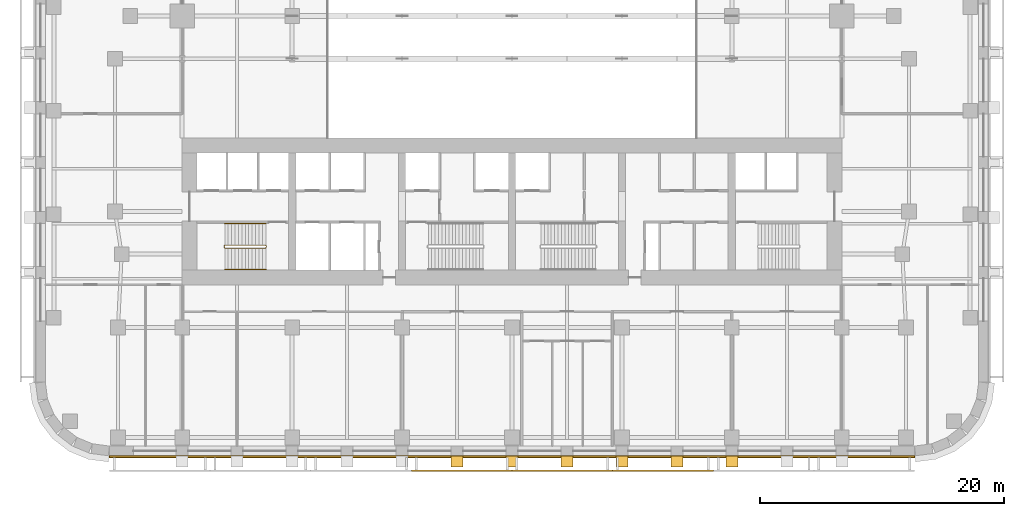
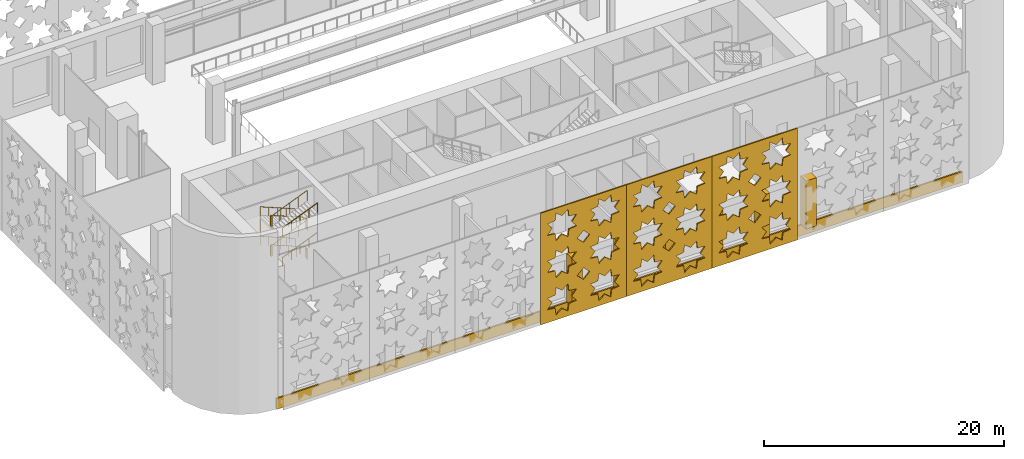
# One storey, part 13 of 17: 10 coverings, 3 railings.
"""IFC4 building model written with IfcOpenShell, lengths in metres."""

from ifc_helpers import new_model, si_unit, direction, frame, origin, origin_2d, place, context, subcontext, project, spatial, polyline, circle, outline, extrude, material, layer, layer_set, type_object, element, save


model = new_model("IFC4")

# Units and contexts
model_context = context("Model", 3, precision=1e-05, world=origin(), true_north=direction((0.0, 1.0)))
body_context = subcontext(model_context, "Body", "Model", "MODEL_VIEW")
ifc_project = project(units=[si_unit("LENGTHUNIT", "METRE"), si_unit("AREAUNIT", "SQUARE_METRE"), si_unit("VOLUMEUNIT", "CUBIC_METRE"), si_unit("PLANEANGLEUNIT", "RADIAN"), si_unit("MASSUNIT", "GRAM", prefix="KILO")], contexts=[model_context])

# Site, building, storey
site_placement = place(None, origin())
site = spatial("IfcSite", under=ifc_project, at=site_placement, CompositionType="ELEMENT")
building_placement = place(site_placement, origin())
building = spatial("IfcBuilding", under=site, at=building_placement, Name="Zellij Exchange Tower", CompositionType="ELEMENT")
storey_placement = place(building_placement, frame((0.0, 0.0, 21.0)))
storey = spatial("IfcBuildingStorey", under=building, at=storey_placement, Name="L03", CompositionType="ELEMENT", Elevation=21.0)

# Railings
ifc_material_1 = material(Name="Stainless steel", Category="steel")
railing_type_1 = type_object("IfcRailingType", Name="CORE-RG stair guard", PredefinedType="GUARDRAIL", material=ifc_material_1)
railing_1_placement = place(storey_placement, frame((-20.10009765625, -10.800048828125, 0.0)))
element("IfcRailing", 1, at=railing_1_placement, inside=storey, type_object=railing_type_1, Name="ST1 stair guard L03", PredefinedType="GUARDRAIL", context=body_context, shape_type="SweptSolid", body=[
    extrude(circle(Radius=0.02392578125, at=origin_2d()), frame((0.0, 0.0, 1.076171875), z_axis=(0.0, -1.0, 0.0), x_axis=(1.0, 0.0, 0.0)), (0.0, 0.0, 1.0), 0.14990234375),
    extrude(circle(Radius=0.02392578125, at=origin_2d()), frame((0.0, -0.14990234375, 1.076171875), z_axis=(-0.210847110147, 0.846489133385, 0.488875897547), x_axis=(-0.970351222016, -0.241699205484, 0.0)), (0.0, 0.0, 1.0), 0.236328125),
    extrude(circle(Radius=0.02392578125, at=origin_2d()), frame((-0.0498046875, 0.050048828125, 1.19140625), z_axis=(-0.924586246868, 0.0, 0.380972797064), x_axis=(0.0, -1.0, 0.0)), (0.0, 0.0, 1.0), 3.63427734375),
    extrude(circle(Radius=0.02392578125, at=origin_2d()), frame((-3.409912109375, 0.050048828125, 2.576171875), z_axis=(-0.707106781187, -0.707106781187, 0.0), x_axis=(0.707106781187, -0.707106781187, 0.0)), (0.0, 0.0, 1.0), 0.07080078125),
    extrude(circle(Radius=0.02392578125, at=origin_2d()), frame((-3.4599609375, 0.0, 2.576171875), z_axis=(0.0, -1.0, 0.0), x_axis=(1.0, 0.0, 0.0)), (0.0, 0.0, 1.0), 0.14990234375),
    extrude(circle(Radius=0.02392578125, at=origin_2d()), frame((-3.4599609375, -0.14990234375, 2.576171875), z_axis=(0.3695169537, -0.3695169537, 0.852592776099), x_axis=(0.707106781187, 0.707106781187, 0.0)), (0.0, 0.0, 1.0), 0.135498046875),
    extrude(circle(Radius=0.02392578125, at=origin_2d()), frame((-3.409912109375, -0.199951171875, 2.69140625), z_axis=(0.924586246868, 0.0, 0.380972797064), x_axis=(0.0, 1.0, 0.0)), (0.0, 0.0, 1.0), 3.63427734375),
    extrude(circle(Radius=0.02392578125, at=origin_2d()), frame((-0.0498046875, -0.199951171875, 4.076171875), z_axis=(0.241699205484, 0.970351222016, 0.0), x_axis=(-0.970351222016, 0.241699205484, 0.0)), (0.0, 0.0, 1.0), 0.2060546875),
    extrude(circle(Radius=0.02392578125, at=origin_2d()), frame((0.0, 0.0, 4.076171875), z_axis=(0.0, -1.0, 0.0), x_axis=(1.0, 0.0, 0.0)), (0.0, 0.0, 1.0), 0.14990234375),
    extrude(circle(Radius=0.02392578125, at=origin_2d()), frame((0.0, -0.14990234375, 4.076171875), z_axis=(-0.210847110147, 0.846489133385, 0.488875897547), x_axis=(-0.970351222016, -0.241699205484, 0.0)), (0.0, 0.0, 1.0), 0.236328125),
    extrude(circle(Radius=0.02392578125, at=origin_2d()), frame((-0.0498046875, 0.050048828125, 4.19140625), z_axis=(-0.924586246868, 0.0, 0.380972797064), x_axis=(0.0, -1.0, 0.0)), (0.0, 0.0, 1.0), 3.63427734375),
    extrude(circle(Radius=0.02392578125, at=origin_2d()), frame((-3.409912109375, 0.050048828125, 5.576171875), z_axis=(-0.707106781187, -0.707106781187, 0.0), x_axis=(0.707106781187, -0.707106781187, 0.0)), (0.0, 0.0, 1.0), 0.07080078125),
    extrude(circle(Radius=0.02392578125, at=origin_2d()), frame((-3.4599609375, 0.0, 5.576171875), z_axis=(0.0, -1.0, 0.0), x_axis=(1.0, 0.0, 0.0)), (0.0, 0.0, 1.0), 0.14990234375),
    extrude(circle(Radius=0.02392578125, at=origin_2d()), frame((-3.4599609375, -0.14990234375, 5.576171875), z_axis=(0.3695169537, -0.3695169537, 0.852592776099), x_axis=(0.707106781187, 0.707106781187, 0.0)), (0.0, 0.0, 1.0), 0.135498046875),
    extrude(circle(Radius=0.02392578125, at=origin_2d()), frame((-3.409912109375, -0.199951171875, 5.69140625), z_axis=(0.924586246868, 0.0, 0.380972797064), x_axis=(0.0, 1.0, 0.0)), (0.0, 0.0, 1.0), 3.63427734375),
    extrude(circle(Radius=0.02099609375, at=origin_2d()), origin(), (0.0, 0.0, 1.0), 1.052001953125),
    extrude(circle(Radius=0.02099609375, at=origin_2d()), frame((0.0, -0.14990234375, 0.0)), (0.0, 0.0, 1.0), 1.052001953125),
    extrude(circle(Radius=0.02099609375, at=origin_2d()), frame((-0.0498046875, 0.050048828125, 0.115478515625)), (0.0, 0.0, 1.0), 1.052001953125),
    extrude(circle(Radius=0.02099609375, at=origin_2d()), frame((-0.889892578125, 0.050048828125, 0.461669921875)), (0.0, 0.0, 1.0), 1.052001953125),
    extrude(circle(Radius=0.02099609375, at=origin_2d()), frame((-1.72998046875, 0.050048828125, 0.8076171875)), (0.0, 0.0, 1.0), 1.052001953125),
    extrude(circle(Radius=0.02099609375, at=origin_2d()), frame((-2.56982421875, 0.050048828125, 1.15380859375)), (0.0, 0.0, 1.0), 1.052001953125),
    extrude(circle(Radius=0.02099609375, at=origin_2d()), frame((-3.409912109375, 0.050048828125, 1.5)), (0.0, 0.0, 1.0), 1.052001953125),
    extrude(circle(Radius=0.02099609375, at=origin_2d()), frame((-3.4599609375, 0.0, 1.5)), (0.0, 0.0, 1.0), 1.052001953125),
    extrude(circle(Radius=0.02099609375, at=origin_2d()), frame((-3.4599609375, -0.14990234375, 1.5)), (0.0, 0.0, 1.0), 1.052001953125),
    extrude(circle(Radius=0.02099609375, at=origin_2d()), frame((-3.409912109375, -0.199951171875, 1.615478515625)), (0.0, 0.0, 1.0), 1.052001953125),
    extrude(circle(Radius=0.02099609375, at=origin_2d()), frame((-2.56982421875, -0.199951171875, 1.961669921875)), (0.0, 0.0, 1.0), 1.052001953125),
    extrude(circle(Radius=0.02099609375, at=origin_2d()), frame((-1.72998046875, -0.199951171875, 2.3076171875)), (0.0, 0.0, 1.0), 1.052001953125),
    extrude(circle(Radius=0.02099609375, at=origin_2d()), frame((-0.889892578125, -0.199951171875, 2.65380859375)), (0.0, 0.0, 1.0), 1.052001953125),
    extrude(circle(Radius=0.02099609375, at=origin_2d()), frame((-0.0498046875, -0.199951171875, 3.0)), (0.0, 0.0, 1.0), 1.052001953125),
    extrude(circle(Radius=0.02099609375, at=origin_2d()), frame((0.0, 0.0, 3.0)), (0.0, 0.0, 1.0), 1.052001953125),
    extrude(circle(Radius=0.02099609375, at=origin_2d()), frame((0.0, -0.14990234375, 3.0)), (0.0, 0.0, 1.0), 1.052001953125),
    extrude(circle(Radius=0.02099609375, at=origin_2d()), frame((-0.0498046875, 0.050048828125, 3.115478515625)), (0.0, 0.0, 1.0), 1.052001953125),
    extrude(circle(Radius=0.02099609375, at=origin_2d()), frame((-0.889892578125, 0.050048828125, 3.461669921875)), (0.0, 0.0, 1.0), 1.052001953125),
    extrude(circle(Radius=0.02099609375, at=origin_2d()), frame((-1.72998046875, 0.050048828125, 3.8076171875)), (0.0, 0.0, 1.0), 1.052001953125),
    extrude(circle(Radius=0.02099609375, at=origin_2d()), frame((-2.56982421875, 0.050048828125, 4.15380859375)), (0.0, 0.0, 1.0), 1.052001953125),
    extrude(circle(Radius=0.02099609375, at=origin_2d()), frame((-3.409912109375, 0.050048828125, 4.5)), (0.0, 0.0, 1.0), 1.052001953125),
    extrude(circle(Radius=0.02099609375, at=origin_2d()), frame((-3.4599609375, 0.0, 4.5)), (0.0, 0.0, 1.0), 1.052001953125),
    extrude(circle(Radius=0.02099609375, at=origin_2d()), frame((-3.4599609375, -0.14990234375, 4.5)), (0.0, 0.0, 1.0), 1.052001953125),
    extrude(circle(Radius=0.02099609375, at=origin_2d()), frame((-3.409912109375, -0.199951171875, 4.615478515625)), (0.0, 0.0, 1.0), 1.052001953125),
    extrude(circle(Radius=0.02099609375, at=origin_2d()), frame((-2.56982421875, -0.199951171875, 4.961669921875)), (0.0, 0.0, 1.0), 1.052001953125),
    extrude(circle(Radius=0.02099609375, at=origin_2d()), frame((-1.72998046875, -0.199951171875, 5.3076171875)), (0.0, 0.0, 1.0), 1.052001953125),
    extrude(circle(Radius=0.02099609375, at=origin_2d()), frame((-0.889892578125, -0.199951171875, 5.65380859375)), (0.0, 0.0, 1.0), 1.052001953125),
    extrude(circle(Radius=0.02099609375, at=origin_2d()), frame((-0.0498046875, -0.199951171875, 6.0)), (0.0, 0.0, 1.0), 1.052001953125),
])
railing_type_2 = type_object("IfcRailingType", Name="CORE-RH stair handrail", PredefinedType="HANDRAIL", material=ifc_material_1)
railing_2_placement = place(storey_placement, frame((-20.14990234375, -9.0, 0.115478515625)))
element("IfcRailing", 2, at=railing_2_placement, inside=storey, type_object=railing_type_2, Name="ST1 stair handrail L03", PredefinedType="HANDRAIL", context=body_context, shape_type="SweptSolid", body=[
    extrude(circle(Radius=0.02392578125, at=origin_2d()), frame((0.0, 0.0, 0.8759765625), z_axis=(-0.924586246868, 0.0, 0.380972797064), x_axis=(0.0, -1.0, 0.0)), (0.0, 0.0, 1.0), 3.63427734375),
    extrude(circle(Radius=0.02392578125, at=origin_2d()), frame((-3.360107421875, 0.0, 2.26025390625), z_axis=(0.0, 0.0, 1.0), x_axis=(1.0, 0.0, 0.0)), (0.0, 0.0, 1.0), 3.0),
    extrude(circle(Radius=0.02392578125, at=origin_2d()), frame((-3.360107421875, 0.0, 5.26025390625), z_axis=(0.924586246868, 0.0, -0.380972797064), x_axis=(0.0, 1.0, 0.0)), (0.0, 0.0, 1.0), 3.63427734375),
    extrude(circle(Radius=0.02099609375, at=origin_2d()), origin(), (0.0, 0.0, 1.0), 0.851806640625),
    extrude(circle(Radius=0.02099609375, at=origin_2d()), frame((-0.840087890625, 0.0, 0.34619140625)), (0.0, 0.0, 1.0), 0.851806640625),
    extrude(circle(Radius=0.02099609375, at=origin_2d()), frame((-1.68017578125, 0.0, 0.6923828125)), (0.0, 0.0, 1.0), 0.851806640625),
    extrude(circle(Radius=0.02099609375, at=origin_2d()), frame((-2.52001953125, 0.0, 1.038330078125)), (0.0, 0.0, 1.0), 0.851806640625),
    extrude(circle(Radius=0.02099609375, at=origin_2d()), frame((-3.360107421875, 0.0, 1.384521484375)), (0.0, 0.0, 1.0), 0.851806640625),
    extrude(circle(Radius=0.02099609375, at=origin_2d()), frame((-3.360107421875, 0.0, 2.384521484375)), (0.0, 0.0, 1.0), 0.851806640625),
    extrude(circle(Radius=0.02099609375, at=origin_2d()), frame((-3.360107421875, 0.0, 3.384521484375)), (0.0, 0.0, 1.0), 0.851806640625),
    extrude(circle(Radius=0.02099609375, at=origin_2d()), frame((-3.360107421875, 0.0, 4.384521484375)), (0.0, 0.0, 1.0), 0.851806640625),
    extrude(circle(Radius=0.02099609375, at=origin_2d()), frame((-2.52001953125, 0.0, 4.038330078125)), (0.0, 0.0, 1.0), 0.851806640625),
    extrude(circle(Radius=0.02099609375, at=origin_2d()), frame((-1.68017578125, 0.0, 3.6923828125)), (0.0, 0.0, 1.0), 0.851806640625),
    extrude(circle(Radius=0.02099609375, at=origin_2d()), frame((-0.840087890625, 0.0, 3.34619140625)), (0.0, 0.0, 1.0), 0.851806640625),
    extrude(circle(Radius=0.02099609375, at=origin_2d()), frame((0.0, 0.0, 3.0)), (0.0, 0.0, 1.0), 0.851806640625),
])
railing_3_placement = place(storey_placement, frame((-23.510009765625, -12.75, 1.615478515625)))
element("IfcRailing", 3, at=railing_3_placement, inside=storey, type_object=railing_type_2, Name="ST1 stair handrail L03", PredefinedType="HANDRAIL", context=body_context, shape_type="SweptSolid", body=[
    extrude(circle(Radius=0.02392578125, at=origin_2d()), frame((0.0, 0.0, 0.8759765625), z_axis=(0.924586246868, 0.0, 0.380972797064), x_axis=(0.0, 1.0, 0.0)), (0.0, 0.0, 1.0), 3.63427734375),
    extrude(circle(Radius=0.02392578125, at=origin_2d()), frame((3.360107421875, 0.0, 2.26025390625), z_axis=(0.0, 0.0, 1.0), x_axis=(1.0, 0.0, 0.0)), (0.0, 0.0, 1.0), 3.0),
    extrude(circle(Radius=0.02392578125, at=origin_2d()), frame((3.360107421875, 0.0, 5.26025390625), z_axis=(-0.924586246868, 0.0, -0.380972797064), x_axis=(0.0, -1.0, 0.0)), (0.0, 0.0, 1.0), 3.63427734375),
    extrude(circle(Radius=0.02099609375, at=origin_2d()), origin(), (0.0, 0.0, 1.0), 0.851806640625),
    extrude(circle(Radius=0.02099609375, at=origin_2d()), frame((0.840087890625, 0.0, 0.34619140625)), (0.0, 0.0, 1.0), 0.851806640625),
    extrude(circle(Radius=0.02099609375, at=origin_2d()), frame((1.68017578125, 0.0, 0.6923828125)), (0.0, 0.0, 1.0), 0.851806640625),
    extrude(circle(Radius=0.02099609375, at=origin_2d()), frame((2.52001953125, 0.0, 1.038330078125)), (0.0, 0.0, 1.0), 0.851806640625),
    extrude(circle(Radius=0.02099609375, at=origin_2d()), frame((3.360107421875, 0.0, 1.384521484375)), (0.0, 0.0, 1.0), 0.851806640625),
    extrude(circle(Radius=0.02099609375, at=origin_2d()), frame((3.360107421875, 0.0, 2.384521484375)), (0.0, 0.0, 1.0), 0.851806640625),
    extrude(circle(Radius=0.02099609375, at=origin_2d()), frame((3.360107421875, 0.0, 3.384521484375)), (0.0, 0.0, 1.0), 0.851806640625),
    extrude(circle(Radius=0.02099609375, at=origin_2d()), frame((3.360107421875, 0.0, 4.384521484375)), (0.0, 0.0, 1.0), 0.851806640625),
    extrude(circle(Radius=0.02099609375, at=origin_2d()), frame((2.52001953125, 0.0, 4.038330078125)), (0.0, 0.0, 1.0), 0.851806640625),
    extrude(circle(Radius=0.02099609375, at=origin_2d()), frame((1.68017578125, 0.0, 3.6923828125)), (0.0, 0.0, 1.0), 0.851806640625),
    extrude(circle(Radius=0.02099609375, at=origin_2d()), frame((0.840087890625, 0.0, 3.34619140625)), (0.0, 0.0, 1.0), 0.851806640625),
    extrude(circle(Radius=0.02099609375, at=origin_2d()), frame((0.0, 0.0, 3.0)), (0.0, 0.0, 1.0), 0.851806640625),
])

# Coverings
ifc_material_2 = material(Name="Limestone cladding", Category="masonry")
ifc_layer_1 = layer(ifc_material_2, 0.14990234375)
ifc_layer_set_1 = layer_set([ifc_layer_1], Name="Limestone cladding")
covering_type_1 = type_object("IfcCoveringType", Name="ENV-CV1 Stone spandrel band 150", PredefinedType="CLADDING", material=ifc_layer_set_1)
covering_1_placement = place(storey_placement, frame((0.0, 0.0, -0.300048828125)))
element("IfcCovering", 4, at=covering_1_placement, inside=storey, type_object=covering_type_1, Name="Stone spandrel band", PredefinedType="CLADDING", context=body_context, shape_type="SweptSolid", body=[
    extrude(outline(polyline([(-32.973876953125, -28.0), (32.973876953125, -28.0), (32.983642578125, -28.14990234375), (-32.983642578125, -28.14990234375), (-32.973876953125, -28.0)])), origin(), (0.0, 0.0, 1.0), 1.10009765625),
])
covering_type_2 = type_object("IfcCoveringType", Name="ENV-CV2 Stone pier 1000x900", PredefinedType="CLADDING", material=ifc_material_2)
covering_2_placement = place(storey_placement, frame((0.0, 0.0, 0.800048828125)))
element("IfcCovering", 5, at=covering_2_placement, inside=storey, type_object=covering_type_2, Name="Stone pier", PredefinedType="CLADDING", context=body_context, shape_type="SweptSolid", body=[
    extrude(outline(polyline([(-5.0, -28.0), (-4.0, -28.0), (-4.0, -28.89990234375), (-5.0, -28.89990234375), (-5.0, -28.0)])), origin(), (0.0, 0.0, 1.0), 4.89990234375),
])
covering_3_placement = place(storey_placement, frame((0.0, 0.0, 0.800048828125)))
element("IfcCovering", 6, at=covering_3_placement, inside=storey, type_object=covering_type_2, Name="Stone pier", PredefinedType="CLADDING", context=body_context, shape_type="SweptSolid", body=[
    extrude(outline(polyline([(-0.5, -28.0), (0.5, -28.0), (0.5, -28.89990234375), (-0.5, -28.89990234375), (-0.5, -28.0)])), origin(), (0.0, 0.0, 1.0), 4.89990234375),
])
covering_4_placement = place(storey_placement, frame((0.0, 0.0, 0.800048828125)))
element("IfcCovering", 7, at=covering_4_placement, inside=storey, type_object=covering_type_2, Name="Stone pier", PredefinedType="CLADDING", context=body_context, shape_type="SweptSolid", body=[
    extrude(outline(polyline([(4.0, -28.0), (5.0, -28.0), (5.0, -28.89990234375), (4.0, -28.89990234375), (4.0, -28.0)])), origin(), (0.0, 0.0, 1.0), 4.89990234375),
])
covering_5_placement = place(storey_placement, frame((0.0, 0.0, 0.800048828125)))
element("IfcCovering", 8, at=covering_5_placement, inside=storey, type_object=covering_type_2, Name="Stone pier", PredefinedType="CLADDING", context=body_context, shape_type="SweptSolid", body=[
    extrude(outline(polyline([(8.5, -28.0), (9.5, -28.0), (9.5, -28.89990234375), (8.5, -28.89990234375), (8.5, -28.0)])), origin(), (0.0, 0.0, 1.0), 4.89990234375),
])
covering_6_placement = place(storey_placement, frame((0.0, 0.0, 0.800048828125)))
element("IfcCovering", 9, at=covering_6_placement, inside=storey, type_object=covering_type_2, Name="Stone pier", PredefinedType="CLADDING", context=body_context, shape_type="SweptSolid", body=[
    extrude(outline(polyline([(13.0, -28.0), (14.0, -28.0), (14.0, -28.89990234375), (13.0, -28.89990234375), (13.0, -28.0)])), origin(), (0.0, 0.0, 1.0), 4.89990234375),
])
covering_7_placement = place(storey_placement, frame((0.0, 0.0, 0.800048828125)))
element("IfcCovering", 10, at=covering_7_placement, inside=storey, type_object=covering_type_2, Name="Stone pier", PredefinedType="CLADDING", context=body_context, shape_type="SweptSolid", body=[
    extrude(outline(polyline([(17.5, -28.0), (18.5, -28.0), (18.5, -28.89990234375), (17.5, -28.89990234375), (17.5, -28.0)])), origin(), (0.0, 0.0, 1.0), 4.89990234375),
])
ifc_material_3 = material(Name="Limestone screen", Category="masonry")
ifc_layer_2 = layer(ifc_material_3, 0.1201171875)
ifc_layer_set_2 = layer_set([ifc_layer_2], Name="Limestone screen")
covering_type_3 = type_object("IfcCoveringType", Name="ENV-SC1 Pierced stone screen 120", PredefinedType="USERDEFINED", material=ifc_layer_set_2)
covering_8_placement = place(storey_placement, frame((-8.23681640625, -29.2099609375, 0.300048828125), z_axis=(0.0, 0.0, 1.0), x_axis=(1.0, 0.0, 0.0)))
element("IfcCovering", 11, at=covering_8_placement, inside=storey, type_object=covering_type_3, Name="Pierced stone screen", ObjectType="SCREEN", PredefinedType="USERDEFINED", context=body_context, shape_type="SweptSolid", body=[
    extrude(outline(polyline([(0.0, 0.0), (8.23681640625, 0.0), (8.23681640625, 11.35009765625), (0.0, 11.35009765625), (0.0, 0.0)]), holes=[polyline([(3.45751953125, 2.470703125), (2.72265625, 2.55517578125), (2.638427734375, 3.289794921875), (2.05908203125, 2.829833984375), (1.47998046875, 3.289794921875), (1.395751953125, 2.55517578125), (0.6611328125, 2.470703125), (1.12109375, 1.8916015625), (0.6611328125, 1.3125), (1.395751953125, 1.228271484375), (1.47998046875, 0.493408203125), (2.05908203125, 0.953369140625), (2.638427734375, 0.493408203125), (2.72265625, 1.228271484375), (3.45751953125, 1.3125), (2.99755859375, 1.8916015625), (3.45751953125, 2.470703125)]), polyline([(3.45751953125, 6.254150390625), (2.72265625, 6.33837890625), (2.638427734375, 7.072998046875), (2.05908203125, 6.61328125), (1.47998046875, 7.072998046875), (1.395751953125, 6.33837890625), (0.6611328125, 6.254150390625), (1.12109375, 5.675048828125), (0.6611328125, 5.095947265625), (1.395751953125, 5.011474609375), (1.47998046875, 4.27685546875), (2.05908203125, 4.73681640625), (2.638427734375, 4.27685546875), (2.72265625, 5.011474609375), (3.45751953125, 5.095947265625), (2.99755859375, 5.675048828125), (3.45751953125, 6.254150390625)]), polyline([(3.45751953125, 10.03759765625), (2.72265625, 10.121826171875), (2.638427734375, 10.8564453125), (2.05908203125, 10.396484375), (1.47998046875, 10.8564453125), (1.395751953125, 10.121826171875), (0.6611328125, 10.03759765625), (1.12109375, 9.458251953125), (0.6611328125, 8.879150390625), (1.395751953125, 8.794921875), (1.47998046875, 8.060302734375), (2.05908203125, 8.52001953125), (2.638427734375, 8.060302734375), (2.72265625, 8.794921875), (3.45751953125, 8.879150390625), (2.99755859375, 9.458251953125), (3.45751953125, 10.03759765625)]), polyline([(7.57568359375, 2.470703125), (6.841064453125, 2.55517578125), (6.7568359375, 3.289794921875), (6.177734375, 2.829833984375), (5.598388671875, 3.289794921875), (5.51416015625, 2.55517578125), (4.779541015625, 2.470703125), (5.239501953125, 1.8916015625), (4.779541015625, 1.3125), (5.51416015625, 1.228271484375), (5.598388671875, 0.493408203125), (6.177734375, 0.953369140625), (6.7568359375, 0.493408203125), (6.841064453125, 1.228271484375), (7.57568359375, 1.3125), (7.115966796875, 1.8916015625), (7.57568359375, 2.470703125)]), polyline([(7.57568359375, 6.254150390625), (6.841064453125, 6.33837890625), (6.7568359375, 7.072998046875), (6.177734375, 6.61328125), (5.598388671875, 7.072998046875), (5.51416015625, 6.33837890625), (4.779541015625, 6.254150390625), (5.239501953125, 5.675048828125), (4.779541015625, 5.095947265625), (5.51416015625, 5.011474609375), (5.598388671875, 4.27685546875), (6.177734375, 4.73681640625), (6.7568359375, 4.27685546875), (6.841064453125, 5.011474609375), (7.57568359375, 5.095947265625), (7.115966796875, 5.675048828125), (7.57568359375, 6.254150390625)]), polyline([(7.57568359375, 10.03759765625), (6.841064453125, 10.121826171875), (6.7568359375, 10.8564453125), (6.177734375, 10.396484375), (5.598388671875, 10.8564453125), (5.51416015625, 10.121826171875), (4.779541015625, 10.03759765625), (5.239501953125, 9.458251953125), (4.779541015625, 8.879150390625), (5.51416015625, 8.794921875), (5.598388671875, 8.060302734375), (6.177734375, 8.52001953125), (6.7568359375, 8.060302734375), (6.841064453125, 8.794921875), (7.57568359375, 8.879150390625), (7.115966796875, 9.458251953125), (7.57568359375, 10.03759765625)]), polyline([(4.723876953125, 3.783203125), (4.118408203125, 4.388671875), (3.51318359375, 3.783203125), (4.118408203125, 3.177978515625), (4.723876953125, 3.783203125)]), polyline([(4.723876953125, 7.566650390625), (4.118408203125, 8.172119140625), (3.51318359375, 7.566650390625), (4.118408203125, 6.961181640625), (4.723876953125, 7.566650390625)])]), frame((0.0, 0.06005859375, 0.0), z_axis=(0.0, -1.0, 0.0), x_axis=(1.0, 0.0, 0.0)), (0.0, 0.0, 1.0), 0.1201171875),
])
covering_9_placement = place(storey_placement, frame((0.0, -29.2099609375, 0.300048828125), z_axis=(0.0, 0.0, 1.0), x_axis=(1.0, 0.0, 0.0)))
element("IfcCovering", 12, at=covering_9_placement, inside=storey, type_object=covering_type_3, Name="Pierced stone screen", ObjectType="SCREEN", PredefinedType="USERDEFINED", context=body_context, shape_type="SweptSolid", body=[
    extrude(outline(polyline([(0.0, 0.0), (8.23681640625, 0.0), (8.23681640625, 11.35009765625), (0.0, 11.35009765625), (0.0, 0.0)]), holes=[polyline([(3.45751953125, 2.470703125), (2.72265625, 2.55517578125), (2.638427734375, 3.289794921875), (2.05908203125, 2.829833984375), (1.47998046875, 3.289794921875), (1.395751953125, 2.55517578125), (0.6611328125, 2.470703125), (1.12109375, 1.8916015625), (0.6611328125, 1.3125), (1.395751953125, 1.228271484375), (1.47998046875, 0.493408203125), (2.05908203125, 0.953369140625), (2.638427734375, 0.493408203125), (2.72265625, 1.228271484375), (3.45751953125, 1.3125), (2.99755859375, 1.8916015625), (3.45751953125, 2.470703125)]), polyline([(3.45751953125, 6.254150390625), (2.72265625, 6.33837890625), (2.638427734375, 7.072998046875), (2.05908203125, 6.61328125), (1.47998046875, 7.072998046875), (1.395751953125, 6.33837890625), (0.6611328125, 6.254150390625), (1.12109375, 5.675048828125), (0.6611328125, 5.095947265625), (1.395751953125, 5.011474609375), (1.47998046875, 4.27685546875), (2.05908203125, 4.73681640625), (2.638427734375, 4.27685546875), (2.72265625, 5.011474609375), (3.45751953125, 5.095947265625), (2.99755859375, 5.675048828125), (3.45751953125, 6.254150390625)]), polyline([(3.45751953125, 10.03759765625), (2.72265625, 10.121826171875), (2.638427734375, 10.8564453125), (2.05908203125, 10.396484375), (1.47998046875, 10.8564453125), (1.395751953125, 10.121826171875), (0.6611328125, 10.03759765625), (1.12109375, 9.458251953125), (0.6611328125, 8.879150390625), (1.395751953125, 8.794921875), (1.47998046875, 8.060302734375), (2.05908203125, 8.52001953125), (2.638427734375, 8.060302734375), (2.72265625, 8.794921875), (3.45751953125, 8.879150390625), (2.99755859375, 9.458251953125), (3.45751953125, 10.03759765625)]), polyline([(7.57568359375, 2.470703125), (6.841064453125, 2.55517578125), (6.7568359375, 3.289794921875), (6.177734375, 2.829833984375), (5.598388671875, 3.289794921875), (5.51416015625, 2.55517578125), (4.779541015625, 2.470703125), (5.239501953125, 1.8916015625), (4.779541015625, 1.3125), (5.51416015625, 1.228271484375), (5.598388671875, 0.493408203125), (6.177734375, 0.953369140625), (6.7568359375, 0.493408203125), (6.841064453125, 1.228271484375), (7.57568359375, 1.3125), (7.115966796875, 1.8916015625), (7.57568359375, 2.470703125)]), polyline([(7.57568359375, 6.254150390625), (6.841064453125, 6.33837890625), (6.7568359375, 7.072998046875), (6.177734375, 6.61328125), (5.598388671875, 7.072998046875), (5.51416015625, 6.33837890625), (4.779541015625, 6.254150390625), (5.239501953125, 5.675048828125), (4.779541015625, 5.095947265625), (5.51416015625, 5.011474609375), (5.598388671875, 4.27685546875), (6.177734375, 4.73681640625), (6.7568359375, 4.27685546875), (6.841064453125, 5.011474609375), (7.57568359375, 5.095947265625), (7.115966796875, 5.675048828125), (7.57568359375, 6.254150390625)]), polyline([(7.57568359375, 10.03759765625), (6.841064453125, 10.121826171875), (6.7568359375, 10.8564453125), (6.177734375, 10.396484375), (5.598388671875, 10.8564453125), (5.51416015625, 10.121826171875), (4.779541015625, 10.03759765625), (5.239501953125, 9.458251953125), (4.779541015625, 8.879150390625), (5.51416015625, 8.794921875), (5.598388671875, 8.060302734375), (6.177734375, 8.52001953125), (6.7568359375, 8.060302734375), (6.841064453125, 8.794921875), (7.57568359375, 8.879150390625), (7.115966796875, 9.458251953125), (7.57568359375, 10.03759765625)]), polyline([(4.723876953125, 3.783203125), (4.118408203125, 4.388671875), (3.51318359375, 3.783203125), (4.118408203125, 3.177978515625), (4.723876953125, 3.783203125)]), polyline([(4.723876953125, 7.566650390625), (4.118408203125, 8.172119140625), (3.51318359375, 7.566650390625), (4.118408203125, 6.961181640625), (4.723876953125, 7.566650390625)])]), frame((0.0, 0.06005859375, 0.0), z_axis=(0.0, -1.0, 0.0), x_axis=(1.0, 0.0, 0.0)), (0.0, 0.0, 1.0), 0.1201171875),
])
covering_10_placement = place(storey_placement, frame((8.23681640625, -29.2099609375, 0.300048828125), z_axis=(0.0, 0.0, 1.0), x_axis=(1.0, 0.0, 0.0)))
element("IfcCovering", 13, at=covering_10_placement, inside=storey, type_object=covering_type_3, Name="Pierced stone screen", ObjectType="SCREEN", PredefinedType="USERDEFINED", context=body_context, shape_type="SweptSolid", body=[
    extrude(outline(polyline([(0.0, 0.0), (8.23681640625, 0.0), (8.23681640625, 11.35009765625), (0.0, 11.35009765625), (0.0, 0.0)]), holes=[polyline([(3.45751953125, 2.470703125), (2.72265625, 2.55517578125), (2.638427734375, 3.289794921875), (2.05908203125, 2.829833984375), (1.47998046875, 3.289794921875), (1.395751953125, 2.55517578125), (0.6611328125, 2.470703125), (1.12109375, 1.8916015625), (0.6611328125, 1.3125), (1.395751953125, 1.228271484375), (1.47998046875, 0.493408203125), (2.05908203125, 0.953369140625), (2.638427734375, 0.493408203125), (2.72265625, 1.228271484375), (3.45751953125, 1.3125), (2.99755859375, 1.8916015625), (3.45751953125, 2.470703125)]), polyline([(3.45751953125, 6.254150390625), (2.72265625, 6.33837890625), (2.638427734375, 7.072998046875), (2.05908203125, 6.61328125), (1.47998046875, 7.072998046875), (1.395751953125, 6.33837890625), (0.6611328125, 6.254150390625), (1.12109375, 5.675048828125), (0.6611328125, 5.095947265625), (1.395751953125, 5.011474609375), (1.47998046875, 4.27685546875), (2.05908203125, 4.73681640625), (2.638427734375, 4.27685546875), (2.72265625, 5.011474609375), (3.45751953125, 5.095947265625), (2.99755859375, 5.675048828125), (3.45751953125, 6.254150390625)]), polyline([(3.45751953125, 10.03759765625), (2.72265625, 10.121826171875), (2.638427734375, 10.8564453125), (2.05908203125, 10.396484375), (1.47998046875, 10.8564453125), (1.395751953125, 10.121826171875), (0.6611328125, 10.03759765625), (1.12109375, 9.458251953125), (0.6611328125, 8.879150390625), (1.395751953125, 8.794921875), (1.47998046875, 8.060302734375), (2.05908203125, 8.52001953125), (2.638427734375, 8.060302734375), (2.72265625, 8.794921875), (3.45751953125, 8.879150390625), (2.99755859375, 9.458251953125), (3.45751953125, 10.03759765625)]), polyline([(7.57568359375, 2.470703125), (6.841064453125, 2.55517578125), (6.7568359375, 3.289794921875), (6.177734375, 2.829833984375), (5.598388671875, 3.289794921875), (5.51416015625, 2.55517578125), (4.779541015625, 2.470703125), (5.239501953125, 1.8916015625), (4.779541015625, 1.3125), (5.51416015625, 1.228271484375), (5.598388671875, 0.493408203125), (6.177734375, 0.953369140625), (6.7568359375, 0.493408203125), (6.841064453125, 1.228271484375), (7.57568359375, 1.3125), (7.115966796875, 1.8916015625), (7.57568359375, 2.470703125)]), polyline([(7.57568359375, 6.254150390625), (6.841064453125, 6.33837890625), (6.7568359375, 7.072998046875), (6.177734375, 6.61328125), (5.598388671875, 7.072998046875), (5.51416015625, 6.33837890625), (4.779541015625, 6.254150390625), (5.239501953125, 5.675048828125), (4.779541015625, 5.095947265625), (5.51416015625, 5.011474609375), (5.598388671875, 4.27685546875), (6.177734375, 4.73681640625), (6.7568359375, 4.27685546875), (6.841064453125, 5.011474609375), (7.57568359375, 5.095947265625), (7.115966796875, 5.675048828125), (7.57568359375, 6.254150390625)]), polyline([(7.57568359375, 10.03759765625), (6.841064453125, 10.121826171875), (6.7568359375, 10.8564453125), (6.177734375, 10.396484375), (5.598388671875, 10.8564453125), (5.51416015625, 10.121826171875), (4.779541015625, 10.03759765625), (5.239501953125, 9.458251953125), (4.779541015625, 8.879150390625), (5.51416015625, 8.794921875), (5.598388671875, 8.060302734375), (6.177734375, 8.52001953125), (6.7568359375, 8.060302734375), (6.841064453125, 8.794921875), (7.57568359375, 8.879150390625), (7.115966796875, 9.458251953125), (7.57568359375, 10.03759765625)]), polyline([(4.723876953125, 3.783203125), (4.118408203125, 4.388671875), (3.51318359375, 3.783203125), (4.118408203125, 3.177978515625), (4.723876953125, 3.783203125)]), polyline([(4.723876953125, 7.566650390625), (4.118408203125, 8.172119140625), (3.51318359375, 7.566650390625), (4.118408203125, 6.961181640625), (4.723876953125, 7.566650390625)])]), frame((0.0, 0.06005859375, 0.0), z_axis=(0.0, -1.0, 0.0), x_axis=(1.0, 0.0, 0.0)), (0.0, 0.0, 1.0), 0.1201171875),
])

save(model, "model.ifc")
